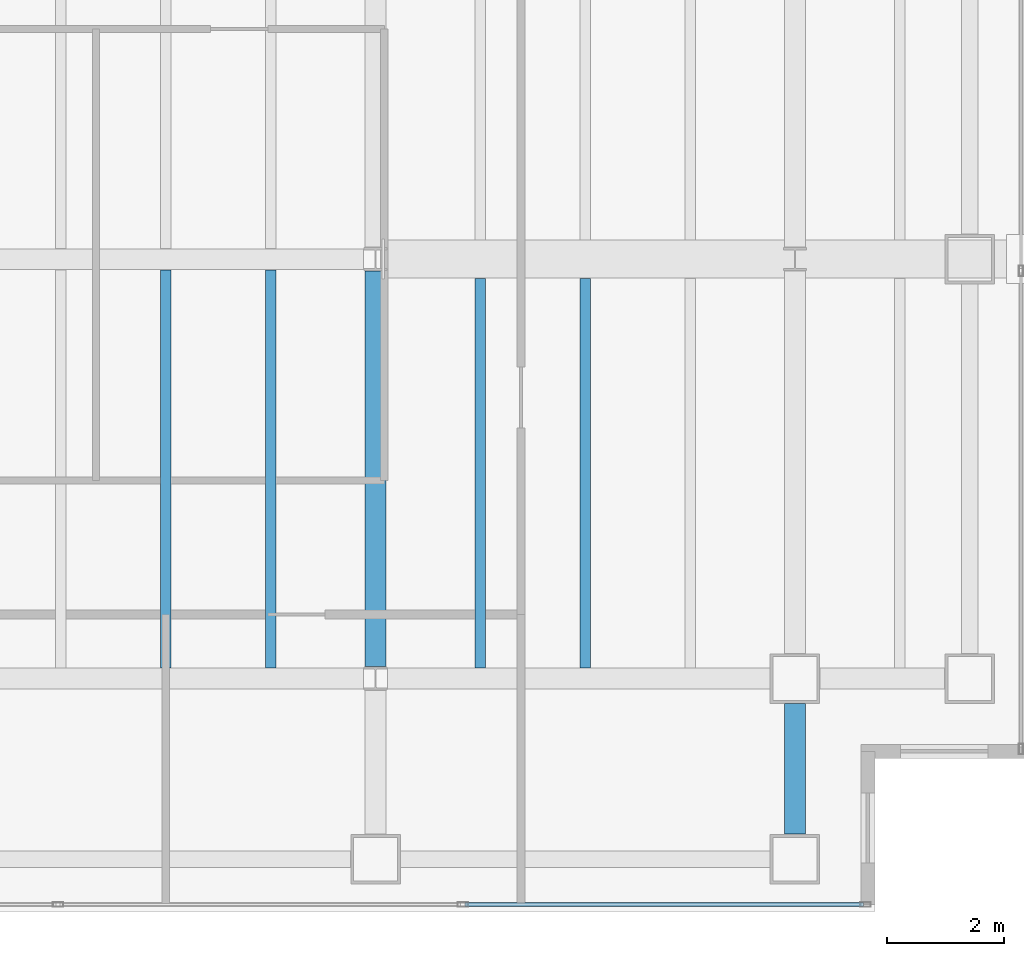
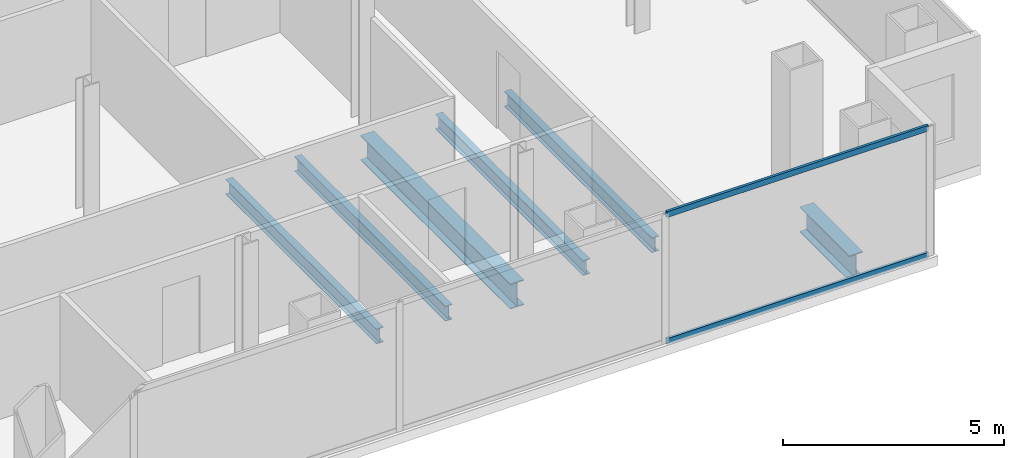
# One storey, part 10 of 23: 6 beams, 2 members, 1 element without a shape of its own.
"""IFC4 building model written with IfcOpenShell, lengths in metres."""

from ifc_helpers import new_model, si_unit, direction, frame, origin, origin_2d, place, context, subcontext, project, spatial, hollow_rectangle, i_section, extrude, material, material_profile, profile_set, type_object, element, aggregate, save


model = new_model("IFC4")

# Units and contexts
model_context = context("Model", 3, precision=1e-05, world=origin(), true_north=direction((0.0, 1.0)))
body_context = subcontext(model_context, "Body", "Model", "MODEL_VIEW")
ifc_project = project(units=[si_unit("LENGTHUNIT", "METRE"), si_unit("AREAUNIT", "SQUARE_METRE"), si_unit("VOLUMEUNIT", "CUBIC_METRE"), si_unit("PLANEANGLEUNIT", "RADIAN"), si_unit("MASSUNIT", "GRAM", prefix="KILO")], contexts=[model_context])

# Site, building, storey
site_placement = place(None, origin())
site = spatial("IfcSite", under=ifc_project, at=site_placement, CompositionType="ELEMENT")
building_placement = place(site_placement, origin())
building = spatial("IfcBuilding", under=site, at=building_placement, Name="Cobrela Telecom Tower", CompositionType="ELEMENT")
storey_placement = place(building_placement, frame((0.0, 0.0, 159.949951171875)))
storey = spatial("IfcBuildingStorey", under=building, at=storey_placement, Name="L40", CompositionType="ELEMENT", Elevation=159.949951171875)

# Beams
ifc_material_1 = material(Name="Steel ASTM A992 Grade 50", Category="steel")
ifc_material_profile_1 = material_profile(ifc_material_1, i_section(OverallWidth=0.35595703125, OverallDepth=0.696044921875, WebThickness=0.015380859375, FlangeThickness=0.024658203125, FilletRadius=0.01806640625, at=origin_2d()), Name="W27X146")
ifc_profile_set_1 = profile_set([ifc_material_profile_1], Name="Steel ASTM A992 Grade 50")
beam_type_1 = type_object("IfcBeamType", Name="BM-GIRD-05", PredefinedType="USERDEFINED", material=ifc_profile_set_1)
beam_1_placement = place(storey_placement, frame((36.0, 7.404541015625, -0.617919921875), z_axis=(0.0, 1.0, 0.0), x_axis=(-1.0, 0.0, 0.0)))
element("IfcBeam", 1, at=beam_1_placement, inside=storey, type_object=beam_type_1, Name="L40 Primary Girder Y46", ObjectType="GIRDER", PredefinedType="USERDEFINED", context=body_context, shape_type="SweptSolid", body=[
    extrude(i_section(OverallWidth=0.35595703125, OverallDepth=0.696044921875, WebThickness=0.015380859375, FlangeThickness=0.024658203125, FilletRadius=0.01806640625, at=origin_2d()), origin(), (0.0, 0.0, 1.0), 6.791015625),
])
beam_2_placement = place(storey_placement, frame((43.199951171875, 4.530029296875, -0.617919921875), z_axis=(0.0, 1.0, 0.0), x_axis=(-1.0, 0.0, 0.0)))
element("IfcBeam", 2, at=beam_2_placement, inside=storey, type_object=beam_type_1, Name="L40 Primary Girder Y48", ObjectType="GIRDER", PredefinedType="USERDEFINED", context=body_context, shape_type="SweptSolid", body=[
    extrude(i_section(OverallWidth=0.35595703125, OverallDepth=0.696044921875, WebThickness=0.015380859375, FlangeThickness=0.024658203125, FilletRadius=0.01806640625, at=origin_2d()), origin(), (0.0, 0.0, 1.0), 2.239990234375),
])
ifc_material_profile_2 = material_profile(ifc_material_1, i_section(OverallWidth=0.179931640625, OverallDepth=0.4169921875, WebThickness=0.010986328125, FlangeThickness=0.01806640625, FilletRadius=0.011962890625, at=origin_2d()), Name="W16X57")
ifc_profile_set_2 = profile_set([ifc_material_profile_2], Name="Steel ASTM A992 Grade 50")
beam_type_2 = type_object("IfcBeamType", Name="BM-JOIST-04", PredefinedType="JOIST", material=ifc_profile_set_2)
for number, where, z_axis, x_axis, name in (
    (3, (32.39990234375, 7.383056640625, -0.478515625), (0.0, 1.0, 0.0), (-1.0, 0.0, 0.0), "L40 Secondary Composite Floor Beam J29"),
    (4, (34.199951171875, 7.383056640625, -0.478515625), (0.0, 1.0, 0.0), (-1.0, 0.0, 0.0), "L40 Secondary Composite Floor Beam J31"),
):
    element("IfcBeam", number, at=place(storey_placement, frame(where, z_axis=z_axis, x_axis=x_axis)), inside=storey, type_object=beam_type_2, Name=name, PredefinedType="JOIST", context=body_context, shape_type="SweptSolid", body=[
        extrude(i_section(OverallWidth=0.179931640625, OverallDepth=0.4169921875, WebThickness=0.010986328125, FlangeThickness=0.01806640625, FilletRadius=0.011962890625, at=origin_2d()), origin(), (0.0, 0.0, 1.0), 6.833984375),
    ])
for number, where, z_axis, x_axis, name in (
    (5, (37.800048828125, 7.383056640625, -0.478515625), (0.0, 1.0, 0.0), (-1.0, 0.0, 0.0), "L40 Secondary Composite Floor Beam J33"),
    (6, (39.60009765625, 7.383056640625, -0.478515625), (0.0, 1.0, 0.0), (-1.0, 0.0, 0.0), "L40 Secondary Composite Floor Beam J35"),
):
    element("IfcBeam", number, at=place(storey_placement, frame(where, z_axis=z_axis, x_axis=x_axis)), inside=storey, type_object=beam_type_2, Name=name, PredefinedType="JOIST", context=body_context, shape_type="SweptSolid", body=[
        extrude(i_section(OverallWidth=0.179931640625, OverallDepth=0.4169921875, WebThickness=0.010986328125, FlangeThickness=0.01806640625, FilletRadius=0.011962890625, at=origin_2d()), origin(), (0.0, 0.0, 1.0), 6.68701171875),
    ])

# Curtain wall, members
ifc_material_2 = material(Name="Anodized Bronze Aluminium 6063-T6", Category="aluminium")
curtain_wall_type = type_object("IfcCurtainWallType", Name="CW-SYS-TEL", PredefinedType="USERDEFINED", material=ifc_material_2)
curtain_wall_placement = place(storey_placement, origin())
curtain_wall = element("IfcCurtainWall", 7, at=curtain_wall_placement, inside=storey, type_object=curtain_wall_type, Name="L40 Unitised Bronze Curtain Wall 17", ObjectType="UNITISED CURTAIN WALL", PredefinedType="USERDEFINED")
ifc_material_profile_3 = material_profile(ifc_material_2, hollow_rectangle(XDim=0.070068359375, YDim=0.159912109375, WallThickness=0.00390625, at=origin_2d()), Name="ALU 70x160x4")
ifc_profile_set_3 = profile_set([ifc_material_profile_3], Name="Anodized Bronze Aluminium 6063-T6")
member_type = type_object("IfcMemberType", Name="CW-SYS-TEL-TRN", PredefinedType="USERDEFINED", material=ifc_profile_set_3)
member_1_placement = place(storey_placement, frame((44.375, 3.320068359375, 0.03515625), z_axis=(-1.0, 0.0, 0.0), x_axis=(0.0, -1.0, 0.0)))
member_1 = element("IfcMember", 8, at=member_1_placement, type_object=member_type, Name="CW-TEL transom 1.1", ObjectType="TRANSOM", PredefinedType="USERDEFINED", context=body_context, shape_type="SweptSolid", body=[
    extrude(hollow_rectangle(XDim=0.070068359375, YDim=0.159912109375, WallThickness=0.00390625, at=origin_2d()), origin(), (0.0, 0.0, 1.0), 6.83740234375),
])
member_2_placement = place(storey_placement, frame((44.375, 3.320068359375, 3.545166015625), z_axis=(-1.0, 0.0, 0.0), x_axis=(0.0, -1.0, 0.0)))
member_2 = element("IfcMember", 9, at=member_2_placement, type_object=member_type, Name="CW-TEL transom 1.2", ObjectType="TRANSOM", PredefinedType="USERDEFINED", context=body_context, shape_type="SweptSolid", body=[
    extrude(hollow_rectangle(XDim=0.070068359375, YDim=0.159912109375, WallThickness=0.00390625, at=origin_2d()), origin(), (0.0, 0.0, 1.0), 6.83740234375),
])
aggregate(curtain_wall, [member_1, member_2])

save(model, "model.ifc")
